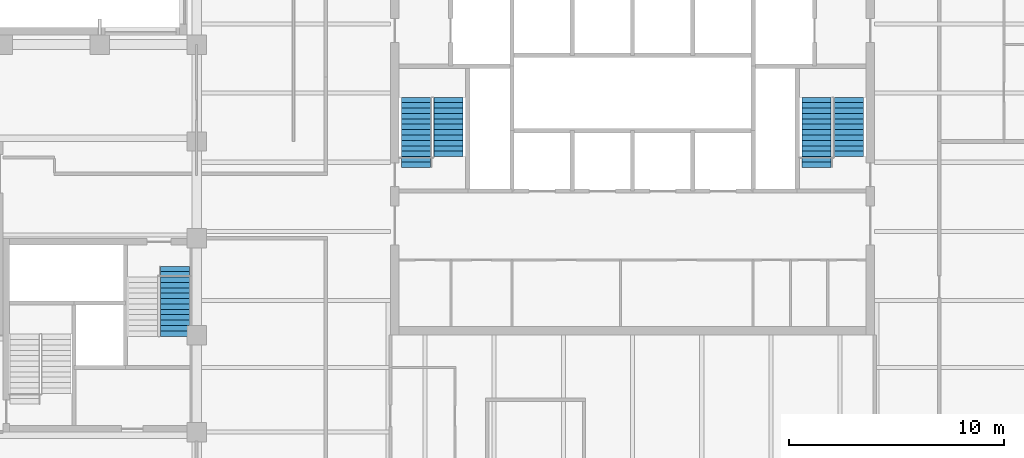
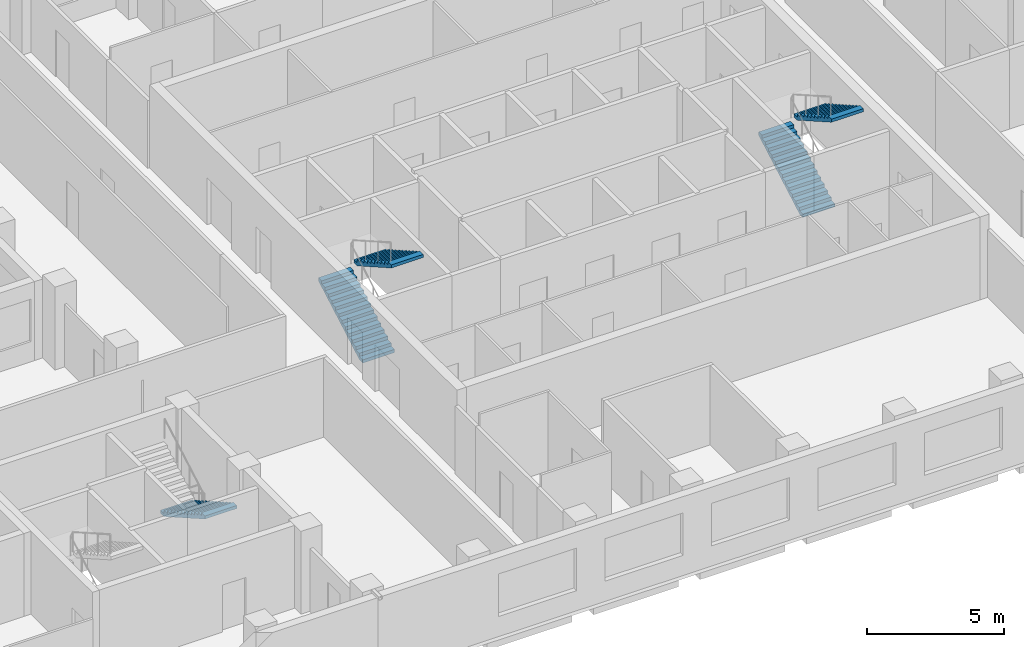
# One storey, part 8 of 9: 5 stair flights, 3 elements without a shape of their own.
"""IFC4 building model written with IfcOpenShell, lengths in metres."""

from ifc_helpers import new_model, si_unit, direction, frame, origin, place, context, subcontext, project, spatial, polyline, outline, extrude, material, type_object, element, aggregate, save


model = new_model("IFC4")

# Units and contexts
model_context = context("Model", 3, precision=1e-05, world=origin(), true_north=direction((0.0, 1.0)))
body_context = subcontext(model_context, "Body", "Model", "MODEL_VIEW")
ifc_project = project(units=[si_unit("LENGTHUNIT", "METRE"), si_unit("AREAUNIT", "SQUARE_METRE"), si_unit("VOLUMEUNIT", "CUBIC_METRE"), si_unit("PLANEANGLEUNIT", "RADIAN"), si_unit("MASSUNIT", "GRAM", prefix="KILO")], contexts=[model_context])

# Site, building, storey
site_placement = place(None, origin())
site = spatial("IfcSite", under=ifc_project, at=site_placement, CompositionType="ELEMENT")
building_placement = place(site_placement, origin())
building = spatial("IfcBuilding", under=site, at=building_placement, Name="Quoin Convention Tower", CompositionType="ELEMENT")
storey_placement = place(building_placement, frame((0.0, 0.0, 155.10009765625)))
storey = spatial("IfcBuildingStorey", under=building, at=storey_placement, Name="L40", CompositionType="ELEMENT", Elevation=155.10009765625)

# Stair, stair flights
ifc_material = material(Name="Concrete C40", Category="concrete")
stair_type = type_object("IfcStairType", Name="Exit stair two-flight 1350", PredefinedType="HALF_TURN_STAIR", material=ifc_material)
stair_1_placement = place(storey_placement, origin())
stair_1 = element("IfcStair", 1, at=stair_1_placement, inside=storey, type_object=stair_type, Name="SD1 L40", PredefinedType="HALF_TURN_STAIR")
stair_flight_type = type_object("IfcStairFlightType", Name="Stair flight 1350", PredefinedType="STRAIGHT", material=ifc_material)
stair_flight_1_placement = place(storey_placement, frame((46.199951171875, 57.300048828125, 0.0), z_axis=(0.0, 0.0, 1.0), x_axis=(0.0, 1.0, 0.0)))
stair_flight_1 = element("IfcStairFlight", 2, at=stair_flight_1_placement, type_object=stair_flight_type, Name="ST1 flight 1", NumberOfRisers=14, NumberOfTreads=13, PredefinedType="STRAIGHT", RiserHeight=0.142307692, TreadLength=0.25, context=body_context, shape_type="SweptSolid", body=[
    extrude(outline(polyline([(0.0, 0.0), (0.0, 0.142333984375), (0.25, 0.142333984375), (0.25, 0.28466796875), (0.5, 0.28466796875), (0.5, 0.427001953125), (0.75, 0.427001953125), (0.75, 0.5693359375), (1.0, 0.5693359375), (1.0, 0.71142578125), (1.25, 0.71142578125), (1.25, 0.853759765625), (1.5, 0.853759765625), (1.5, 0.99609375), (1.75, 0.99609375), (1.75, 1.138427734375), (2.0, 1.138427734375), (2.0, 1.28076171875), (2.25, 1.28076171875), (2.25, 1.423095703125), (2.5, 1.423095703125), (2.5, 1.5654296875), (2.75, 1.5654296875), (2.75, 1.707763671875), (3.0, 1.707763671875), (3.0, 1.85009765625), (3.25, 1.85009765625), (3.25, 1.9921875), (3.25, 1.711669921875), (0.242919921875, 0.0), (0.0, 0.0)])), frame((0.0, 0.675048828125, 0.0), z_axis=(0.0, -1.0, 0.0), x_axis=(1.0, 0.0, 0.0)), (0.0, 0.0, 1.0), 1.35009765625),
])
stair_flight_2_placement = place(storey_placement, frame((47.699951171875, 60.550048828125, 1.9921875), z_axis=(0.0, 0.0, 1.0), x_axis=(0.0, -1.0, 0.0)))
stair_flight_2 = element("IfcStairFlight", 3, at=stair_flight_2_placement, type_object=stair_flight_type, Name="ST1 flight 2", NumberOfRisers=12, NumberOfTreads=11, PredefinedType="STRAIGHT", RiserHeight=0.142307692, TreadLength=0.25, context=body_context, shape_type="SweptSolid", body=[
    extrude(outline(polyline([(0.0, 0.0), (0.0, 0.142333984375), (0.25, 0.142333984375), (0.25, 0.28466796875), (0.5, 0.28466796875), (0.5, 0.427001953125), (0.75, 0.427001953125), (0.75, 0.5693359375), (1.0, 0.5693359375), (1.0, 0.71142578125), (1.25, 0.71142578125), (1.25, 0.853759765625), (1.5, 0.853759765625), (1.5, 0.99609375), (1.75, 0.99609375), (1.75, 1.138427734375), (2.0, 1.138427734375), (2.0, 1.28076171875), (2.25, 1.28076171875), (2.25, 1.423095703125), (2.5, 1.423095703125), (2.5, 1.5654296875), (2.75, 1.5654296875), (2.75, 1.707763671875), (2.75, 1.42724609375), (0.242919921875, 0.0), (0.0, 0.0)])), frame((0.0, 0.675048828125, 0.0), z_axis=(0.0, -1.0, 0.0), x_axis=(1.0, 0.0, 0.0)), (0.0, 0.0, 1.0), 1.35009765625),
])
aggregate(stair_1, [stair_flight_1, stair_flight_2])

stair_2_placement = place(storey_placement, origin())
stair_2 = element("IfcStair", 4, at=stair_2_placement, inside=storey, type_object=stair_type, Name="SD2 L40", PredefinedType="HALF_TURN_STAIR")
stair_flight_3_placement = place(storey_placement, frame((64.800048828125, 57.300048828125, 0.0), z_axis=(0.0, 0.0, 1.0), x_axis=(0.0, 1.0, 0.0)))
stair_flight_3 = element("IfcStairFlight", 5, at=stair_flight_3_placement, type_object=stair_flight_type, Name="ST2 flight 1", NumberOfRisers=14, NumberOfTreads=13, PredefinedType="STRAIGHT", RiserHeight=0.142307692, TreadLength=0.25, context=body_context, shape_type="SweptSolid", body=[
    extrude(outline(polyline([(0.0, 0.0), (0.0, 0.142333984375), (0.25, 0.142333984375), (0.25, 0.28466796875), (0.5, 0.28466796875), (0.5, 0.427001953125), (0.75, 0.427001953125), (0.75, 0.5693359375), (1.0, 0.5693359375), (1.0, 0.71142578125), (1.25, 0.71142578125), (1.25, 0.853759765625), (1.5, 0.853759765625), (1.5, 0.99609375), (1.75, 0.99609375), (1.75, 1.138427734375), (2.0, 1.138427734375), (2.0, 1.28076171875), (2.25, 1.28076171875), (2.25, 1.423095703125), (2.5, 1.423095703125), (2.5, 1.5654296875), (2.75, 1.5654296875), (2.75, 1.707763671875), (3.0, 1.707763671875), (3.0, 1.85009765625), (3.25, 1.85009765625), (3.25, 1.9921875), (3.25, 1.711669921875), (0.242919921875, 0.0), (0.0, 0.0)])), frame((0.0, 0.675048828125, 0.0), z_axis=(0.0, -1.0, 0.0), x_axis=(1.0, 0.0, 0.0)), (0.0, 0.0, 1.0), 1.35009765625),
])
stair_flight_4_placement = place(storey_placement, frame((66.300048828125, 60.550048828125, 1.9921875), z_axis=(0.0, 0.0, 1.0), x_axis=(0.0, -1.0, 0.0)))
stair_flight_4 = element("IfcStairFlight", 6, at=stair_flight_4_placement, type_object=stair_flight_type, Name="ST2 flight 2", NumberOfRisers=12, NumberOfTreads=11, PredefinedType="STRAIGHT", RiserHeight=0.142307692, TreadLength=0.25, context=body_context, shape_type="SweptSolid", body=[
    extrude(outline(polyline([(0.0, 0.0), (0.0, 0.142333984375), (0.25, 0.142333984375), (0.25, 0.28466796875), (0.5, 0.28466796875), (0.5, 0.427001953125), (0.75, 0.427001953125), (0.75, 0.5693359375), (1.0, 0.5693359375), (1.0, 0.71142578125), (1.25, 0.71142578125), (1.25, 0.853759765625), (1.5, 0.853759765625), (1.5, 0.99609375), (1.75, 0.99609375), (1.75, 1.138427734375), (2.0, 1.138427734375), (2.0, 1.28076171875), (2.25, 1.28076171875), (2.25, 1.423095703125), (2.5, 1.423095703125), (2.5, 1.5654296875), (2.75, 1.5654296875), (2.75, 1.707763671875), (2.75, 1.42724609375), (0.242919921875, 0.0), (0.0, 0.0)])), frame((0.0, 0.675048828125, 0.0), z_axis=(0.0, -1.0, 0.0), x_axis=(1.0, 0.0, 0.0)), (0.0, 0.0, 1.0), 1.35009765625),
])
aggregate(stair_2, [stair_flight_3, stair_flight_4])

# Stair, stair flight
stair_3_placement = place(storey_placement, origin())
stair_3 = element("IfcStair", 7, at=stair_3_placement, inside=storey, type_object=stair_type, Name="SD4 L40", PredefinedType="HALF_TURN_STAIR")
stair_flight_5_placement = place(storey_placement, frame((35.0, 52.699951171875, 0.0), z_axis=(0.0, 0.0, 1.0), x_axis=(0.0, -1.0, 0.0)))
stair_flight_5 = element("IfcStairFlight", 8, at=stair_flight_5_placement, type_object=stair_flight_type, Name="ST4 flight 1", NumberOfRisers=14, NumberOfTreads=13, PredefinedType="STRAIGHT", RiserHeight=0.142307692, TreadLength=0.25, context=body_context, shape_type="SweptSolid", body=[
    extrude(outline(polyline([(0.0, 0.0), (0.0, 0.142333984375), (0.25, 0.142333984375), (0.25, 0.28466796875), (0.5, 0.28466796875), (0.5, 0.427001953125), (0.75, 0.427001953125), (0.75, 0.5693359375), (1.0, 0.5693359375), (1.0, 0.71142578125), (1.25, 0.71142578125), (1.25, 0.853759765625), (1.5, 0.853759765625), (1.5, 0.99609375), (1.75, 0.99609375), (1.75, 1.138427734375), (2.0, 1.138427734375), (2.0, 1.28076171875), (2.25, 1.28076171875), (2.25, 1.423095703125), (2.5, 1.423095703125), (2.5, 1.5654296875), (2.75, 1.5654296875), (2.75, 1.707763671875), (3.0, 1.707763671875), (3.0, 1.85009765625), (3.25, 1.85009765625), (3.25, 1.9921875), (3.25, 1.711669921875), (0.242919921875, 0.0), (0.0, 0.0)])), frame((0.0, 0.675048828125, 0.0), z_axis=(0.0, -1.0, 0.0), x_axis=(1.0, 0.0, 0.0)), (0.0, 0.0, 1.0), 1.35009765625),
])
aggregate(stair_3, [stair_flight_5])

save(model, "model.ifc")
